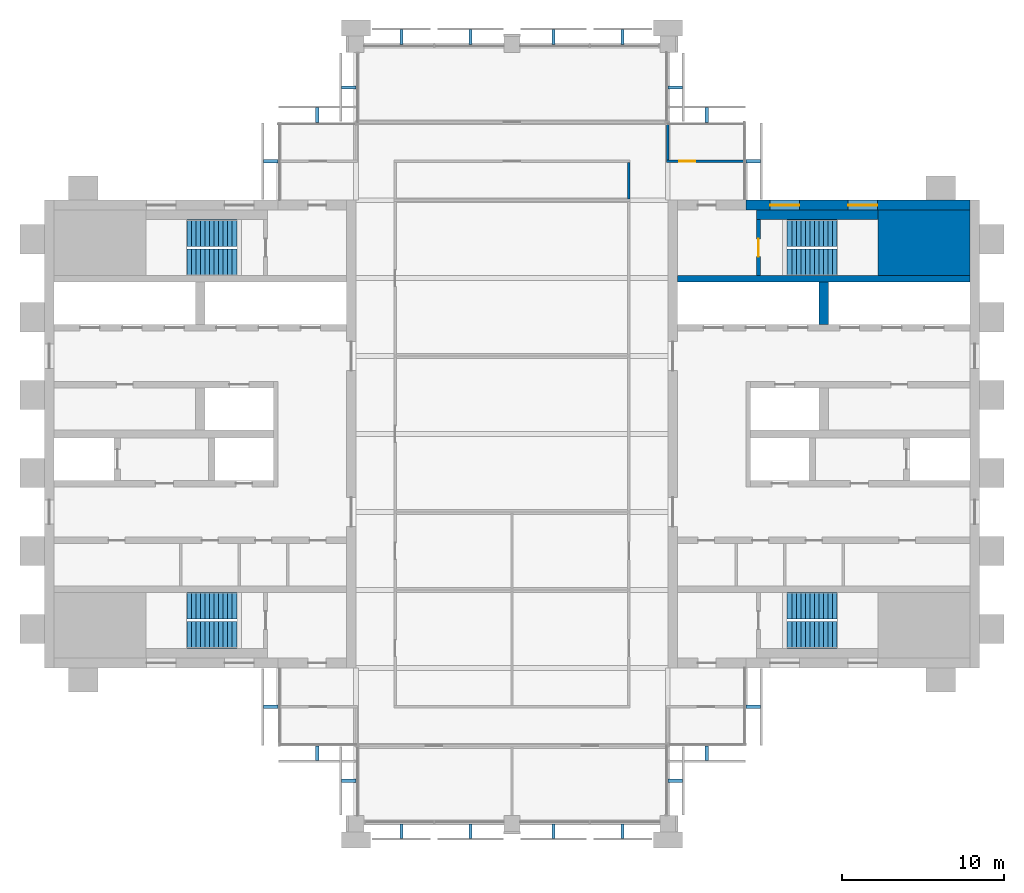
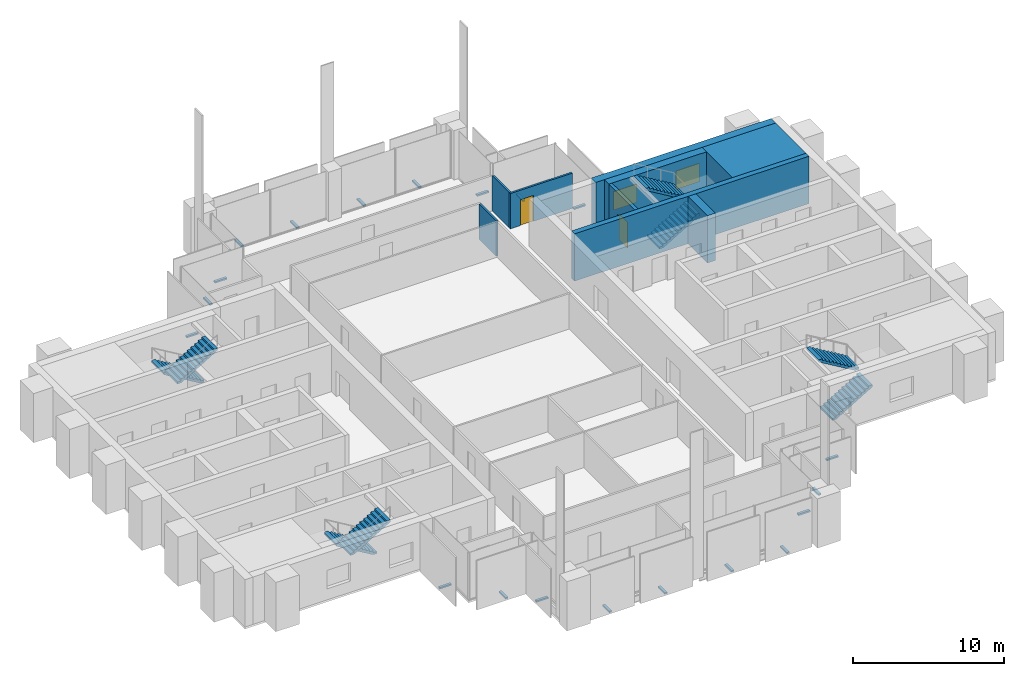
# One storey, part 11 of 12: 20 discrete accessories, 9 walls, 8 stair flights, 2 doors, 2 windows, 4 openings, 4 elements without a shape of their own.
"""IFC4 building model written with IfcOpenShell, lengths in metres."""

from ifc_helpers import new_model, si_unit, direction, frame, frame_2d, origin, origin_2d, place, context, subcontext, project, spatial, polyline, rectangle, outline, extrude, material, layer, layer_set, type_object, element, fill, aggregate, save


model = new_model("IFC4")

# Units and contexts
model_context = context("Model", 3, precision=1e-05, world=origin(), true_north=direction((0.0, 1.0)))
body_context = subcontext(model_context, "Body", "Model", "MODEL_VIEW")
ifc_project = project(units=[si_unit("LENGTHUNIT", "METRE"), si_unit("AREAUNIT", "SQUARE_METRE"), si_unit("VOLUMEUNIT", "CUBIC_METRE"), si_unit("PLANEANGLEUNIT", "RADIAN"), si_unit("MASSUNIT", "GRAM", prefix="KILO")], contexts=[model_context])

# Site, building, storey
site_placement = place(None, origin())
site = spatial("IfcSite", under=ifc_project, at=site_placement, CompositionType="ELEMENT")
building_placement = place(site_placement, origin())
building = spatial("IfcBuilding", under=site, at=building_placement, Name="Baori Bourse Tower", CompositionType="ELEMENT")
storey_placement = place(building_placement, frame((0.0, 0.0, 342.300048828125)))
storey = spatial("IfcBuildingStorey", under=building, at=storey_placement, Name="L76", CompositionType="ELEMENT", Elevation=342.300048828125)

# Wall
ifc_material_1 = material(Name="Concrete f'c 40 MPa", Category="concrete")
wall_type_1 = type_object("IfcWallType", Name="Core corner block f'c 40", PredefinedType="SHEAR", material=ifc_material_1)
wall_1_placement = place(storey_placement, frame((51.35009765625, 35.77490234375, 0.0), z_axis=(0.0, 0.0, 1.0), x_axis=(1.0, 0.0, 0.0)))
element("IfcWall", 1, at=wall_1_placement, inside=storey, type_object=wall_type_1, Name="Core wall E23", PredefinedType="SHEAR", context=body_context, shape_type="SweptSolid", body=[
    extrude(rectangle(XDim=5.64990234375, YDim=4.050048828125, at=frame_2d((2.824951171875, 0.0))), origin(), (0.0, 0.0, 1.0), 3.83984375),
])

# Wall, openings, windows
ifc_material_2 = material(Name="Concrete f'c 40 MPa", Category="concrete")
ifc_layer_1 = layer(ifc_material_2, 0.60009765625)
ifc_layer_set_1 = layer_set([ifc_layer_1], Name="Core wall 600 f'c 40")
wall_type_2 = type_object("IfcWallType", Name="Core wall 600 f'c 40", PredefinedType="SHEAR", material=ifc_layer_set_1)
wall_2_placement = place(storey_placement, frame((43.199951171875, 38.10009765625, 0.0), z_axis=(0.0, 0.0, 1.0), x_axis=(1.0, 0.0, 0.0)))
wall_2 = element("IfcWall", 2, at=wall_2_placement, inside=storey, type_object=wall_type_2, Name="Core wall E26", PredefinedType="SHEAR", context=body_context, shape_type="SweptSolid", body=[
    extrude(rectangle(XDim=13.800048828125, YDim=0.60009765625, at=frame_2d((6.89990234375, 0.0))), origin(), (0.0, 0.0, 1.0), 3.83984375),
])
opening_1_placement = place(wall_2_placement, frame((6.300048828125, 0.0, 0.89990234375)))
opening_1 = element("IfcOpeningElement", 3, at=opening_1_placement, cuts=wall_2, Name="Opening L76-KW205", PredefinedType="OPENING", context=body_context, shape_type="SweptSolid", body=[
    extrude(rectangle(XDim=1.800048828125, YDim=1.5, at=frame_2d((0.89990234375, 0.75))), frame((0.0, 0.31005859375, 0.0), z_axis=(0.0, -1.0, 0.0), x_axis=(1.0, 0.0, 0.0)), (0.0, 0.0, 1.0), 0.6201171875),
])
opening_2_placement = place(wall_2_placement, frame((1.5, 0.0, 0.89990234375)))
opening_2 = element("IfcOpeningElement", 4, at=opening_2_placement, cuts=wall_2, Name="Opening L76-KW206", PredefinedType="OPENING", context=body_context, shape_type="SweptSolid", body=[
    extrude(rectangle(XDim=1.800048828125, YDim=1.5, at=frame_2d((0.89990234375, 0.75))), frame((0.0, 0.31005859375, 0.0), z_axis=(0.0, -1.0, 0.0), x_axis=(1.0, 0.0, 0.0)), (0.0, 0.0, 1.0), 0.6201171875),
])
ifc_material_3 = material(Name="Pale anodised aluminium", Category="aluminium")
window_type = type_object("IfcWindowType", Name="Stair window 1800 x 1500", PartitioningType="SINGLE_PANEL", PredefinedType="WINDOW", material=ifc_material_3)
window_1_placement = place(opening_1_placement, origin())
window_1 = element("IfcWindow", 5, at=window_1_placement, inside=storey, type_object=window_type, Name="Stair window E L76 5", OverallHeight=1.5, OverallWidth=1.800048828125, PartitioningType="SINGLE_PANEL", PredefinedType="WINDOW", context=body_context, shape_type="SweptSolid", body=[
    extrude(rectangle(XDim=1.800048828125, YDim=1.5, at=frame_2d((0.89990234375, 0.75))), frame((0.0, 0.030029296875, 0.0), z_axis=(0.0, -1.0, 0.0), x_axis=(1.0, 0.0, 0.0)), (0.0, 0.0, 1.0), 0.06005859375),
])
fill(opening_1, window_1)
window_2_placement = place(opening_2_placement, origin())
window_2 = element("IfcWindow", 6, at=window_2_placement, inside=storey, type_object=window_type, Name="Stair window E L76 6", OverallHeight=1.5, OverallWidth=1.800048828125, PartitioningType="SINGLE_PANEL", PredefinedType="WINDOW", context=body_context, shape_type="SweptSolid", body=[
    extrude(rectangle(XDim=1.800048828125, YDim=1.5, at=frame_2d((0.89990234375, 0.75))), frame((0.0, 0.030029296875, 0.0), z_axis=(0.0, -1.0, 0.0), x_axis=(1.0, 0.0, 0.0)), (0.0, 0.0, 1.0), 0.06005859375),
])
fill(opening_2, window_2)

# Wall, opening, door
ifc_material_4 = material(Name="Gypsum board partition")
ifc_layer_2 = layer(ifc_material_4, 0.14990234375)
ifc_layer_set_2 = layer_set([ifc_layer_2], Name="Corridor partition 150")
wall_type_3 = type_object("IfcWallType", Name="Corridor partition 150", PredefinedType="PARTITIONING", material=ifc_layer_set_2)
wall_3_placement = place(storey_placement, frame((38.324951171875, 40.800048828125, 0.0), z_axis=(0.0, 0.0, 1.0), x_axis=(1.0, 0.0, 0.0)))
wall_3 = element("IfcWall", 7, at=wall_3_placement, inside=storey, type_object=wall_type_3, Name="Partition", PredefinedType="PARTITIONING", context=body_context, shape_type="SweptSolid", body=[
    extrude(rectangle(XDim=4.775146484375, YDim=0.14990234375, at=frame_2d((2.3876953125, 0.0))), origin(), (0.0, 0.0, 1.0), 2.86962890625),
])
opening_3_placement = place(wall_3_placement, frame((0.77490234375, 0.0, 0.0)))
opening_3 = element("IfcOpeningElement", 8, at=opening_3_placement, cuts=wall_3, Name="Opening L76-D07", PredefinedType="OPENING", context=body_context, shape_type="SweptSolid", body=[
    extrude(rectangle(XDim=1.0, YDim=2.10009765625, at=frame_2d((0.5, 1.050048828125))), frame((0.0, 0.0849609375, 0.0), z_axis=(0.0, -1.0, 0.0), x_axis=(1.0, 0.0, 0.0)), (0.0, 0.0, 1.0), 0.169921875),
])
ifc_material_5 = material(Name="Timber door leaf", Category="wood")
door_type_1 = type_object("IfcDoorType", Name="Door 1000 x 2100", OperationType="SINGLE_SWING_LEFT", PredefinedType="DOOR", material=ifc_material_5)
door_1_placement = place(opening_3_placement, origin())
door_1 = element("IfcDoor", 9, at=door_1_placement, inside=storey, type_object=door_type_1, Name="Door", OperationType="SINGLE_SWING_RIGHT", OverallHeight=2.10009765625, OverallWidth=1.0, PredefinedType="DOOR", context=body_context, shape_type="SweptSolid", body=[
    extrude(rectangle(XDim=1.0, YDim=2.10009765625, at=frame_2d((0.5, 1.050048828125))), frame((0.0, 0.02490234375, 0.0), z_axis=(0.0, -1.0, 0.0), x_axis=(1.0, 0.0, 0.0)), (0.0, 0.0, 1.0), 0.050048828125),
])
fill(opening_3, door_1)

# Walls
wall_4_placement = place(storey_placement, frame((36.0, 38.46240234375, 0.0), z_axis=(0.0, 0.0, 1.0), x_axis=(0.0, 1.0, 0.0)))
element("IfcWall", 10, at=wall_4_placement, inside=storey, type_object=wall_type_3, Name="Partition", PredefinedType="PARTITIONING", context=body_context, shape_type="SweptSolid", body=[
    extrude(rectangle(XDim=2.2626953125, YDim=0.14990234375, at=frame_2d((1.13134765625, 0.0))), origin(), (0.0, 0.0, 1.0), 2.86962890625),
])
wall_5_placement = place(storey_placement, frame((38.39990234375, 40.875, 0.0), z_axis=(0.0, 0.0, 1.0), x_axis=(0.0, 1.0, 0.0)))
element("IfcWall", 11, at=wall_5_placement, inside=storey, type_object=wall_type_3, Name="Partition", PredefinedType="PARTITIONING", context=body_context, shape_type="SweptSolid", body=[
    extrude(rectangle(XDim=2.25, YDim=0.14990234375, at=frame_2d((1.125, 0.0))), origin(), (0.0, 0.0, 1.0), 2.86962890625),
])

# Wall, opening, door
ifc_material_6 = material(Name="Concrete f'c 40 MPa", Category="concrete")
ifc_layer_3 = layer(ifc_material_6, 0.25)
ifc_layer_set_3 = layer_set([ifc_layer_3], Name="Shaft wall 250 f'c 40")
wall_type_4 = type_object("IfcWallType", Name="Shaft wall 250 f'c 40", PredefinedType="SHEAR", material=ifc_layer_set_3)
wall_6_placement = place(storey_placement, frame((43.97509765625, 33.75, 0.0), z_axis=(0.0, 0.0, 1.0), x_axis=(0.0, 1.0, 0.0)))
wall_6 = element("IfcWall", 12, at=wall_6_placement, inside=storey, type_object=wall_type_4, Name="Core wall E24", PredefinedType="SHEAR", context=body_context, shape_type="SweptSolid", body=[
    extrude(rectangle(XDim=3.449951171875, YDim=0.25, at=frame_2d((1.72509765625, 0.0))), origin(), (0.0, 0.0, 1.0), 3.83984375),
])
opening_4_placement = place(wall_6_placement, frame((1.175048828125, 0.0, 0.0)))
opening_4 = element("IfcOpeningElement", 13, at=opening_4_placement, cuts=wall_6, Name="Opening L76-D203", PredefinedType="OPENING", context=body_context, shape_type="SweptSolid", body=[
    extrude(rectangle(XDim=1.10009765625, YDim=2.10009765625, at=frame_2d((0.550048828125, 1.050048828125))), frame((0.0, 0.135009765625, 0.0), z_axis=(0.0, -1.0, 0.0), x_axis=(1.0, 0.0, 0.0)), (0.0, 0.0, 1.0), 0.27001953125),
])
ifc_material_7 = material(Name="Painted steel door", Category="steel")
door_type_2 = type_object("IfcDoorType", Name="Stair door 1100", OperationType="SINGLE_SWING_LEFT", PredefinedType="DOOR", material=ifc_material_7)
door_2_placement = place(opening_4_placement, origin())
door_2 = element("IfcDoor", 14, at=door_2_placement, inside=storey, type_object=door_type_2, Name="Stair door B E L76", OperationType="SINGLE_SWING_LEFT", OverallHeight=2.10009765625, OverallWidth=1.10009765625, PredefinedType="DOOR", context=body_context, shape_type="SweptSolid", body=[
    extrude(rectangle(XDim=1.10009765625, YDim=2.10009765625, at=frame_2d((0.550048828125, 1.050048828125))), frame((0.0, 0.02490234375, 0.0), z_axis=(0.0, -1.0, 0.0), x_axis=(1.0, 0.0, 0.0)), (0.0, 0.0, 1.0), 0.050048828125),
])
fill(opening_4, door_2)

# Walls
ifc_material_8 = material(Name="Concrete f'c 40 MPa", Category="concrete")
ifc_layer_4 = layer(ifc_material_8, 0.39990234375)
ifc_layer_set_4 = layer_set([ifc_layer_4], Name="Shaft wall 400 f'c 40")
wall_type_5 = type_object("IfcWallType", Name="Shaft wall 400 f'c 40", PredefinedType="SHEAR", material=ifc_layer_set_4)
wall_7_placement = place(storey_placement, frame((39.0, 33.550048828125, 0.0), z_axis=(0.0, 0.0, 1.0), x_axis=(1.0, 0.0, 0.0)))
element("IfcWall", 15, at=wall_7_placement, inside=storey, type_object=wall_type_5, Name="Core wall E22", PredefinedType="SHEAR", context=body_context, shape_type="SweptSolid", body=[
    extrude(rectangle(XDim=18.0, YDim=0.39990234375, at=frame_2d((9.0, 0.0))), origin(), (0.0, 0.0, 1.0), 3.83984375),
])
ifc_material_9 = material(Name="Concrete f'c 40 MPa", Category="concrete")
ifc_layer_5 = layer(ifc_material_9, 0.60009765625)
ifc_layer_set_5 = layer_set([ifc_layer_5], Name="Shaft wall 600 f'c 40")
wall_type_6 = type_object("IfcWallType", Name="Shaft wall 600 f'c 40", PredefinedType="SHEAR", material=ifc_layer_set_5)
wall_8_placement = place(storey_placement, frame((48.0, 30.75, 0.0), z_axis=(0.0, 0.0, 1.0), x_axis=(0.0, 1.0, 0.0)))
element("IfcWall", 16, at=wall_8_placement, inside=storey, type_object=wall_type_6, Name="Core wall E21", PredefinedType="SHEAR", context=body_context, shape_type="SweptSolid", body=[
    extrude(rectangle(XDim=2.60009765625, YDim=0.60009765625, at=frame_2d((1.300048828125, 0.0))), origin(), (0.0, 0.0, 1.0), 3.83984375),
])
wall_9_placement = place(storey_placement, frame((43.85009765625, 37.5, 0.0), z_axis=(0.0, 0.0, 1.0), x_axis=(1.0, 0.0, 0.0)))
element("IfcWall", 17, at=wall_9_placement, inside=storey, type_object=wall_type_6, Name="Core wall E25", PredefinedType="SHEAR", context=body_context, shape_type="SweptSolid", body=[
    extrude(rectangle(XDim=7.5, YDim=0.60009765625, at=frame_2d((3.75, 0.0))), origin(), (0.0, 0.0, 1.0), 3.83984375),
])

# Stair, stair flights
ifc_material_10 = material(Name="Concrete f'c 50 MPa", Category="concrete")
stair_type = type_object("IfcStairType", Name="Core stair", PredefinedType="HALF_TURN_STAIR", material=ifc_material_10)
stair_1_placement = place(storey_placement, origin())
stair_1 = element("IfcStair", 18, at=stair_1_placement, inside=storey, type_object=stair_type, Name="L76 Stair WA", PredefinedType="HALF_TURN_STAIR")
ifc_material_11 = material(Name="Concrete f'c 50 MPa", Category="concrete")
stair_flight_type = type_object("IfcStairFlightType", Name="Core stair flight", PredefinedType="STRAIGHT", material=ifc_material_11)
stair_flight_1_placement = place(storey_placement, frame((11.85009765625, 13.425048828125, 0.0), z_axis=(0.0, 0.0, 1.0), x_axis=(-1.0, 0.0, 0.0)))
stair_flight_1 = element("IfcStairFlight", 19, at=stair_flight_1_placement, type_object=stair_flight_type, Name="ST1 flight 1", NumberOfRisers=12, NumberOfTreads=11, PredefinedType="STRAIGHT", RiserHeight=0.166666667, TreadLength=0.28, context=body_context, shape_type="SweptSolid", body=[
    extrude(outline(polyline([(0.0, 0.0), (0.0, 0.166748046875), (0.280029296875, 0.166748046875), (0.280029296875, 0.333251953125), (0.56005859375, 0.333251953125), (0.56005859375, 0.5), (0.840087890625, 0.5), (0.840087890625, 0.666748046875), (1.1201171875, 0.666748046875), (1.1201171875, 0.833251953125), (1.39990234375, 0.833251953125), (1.39990234375, 1.0), (1.679931640625, 1.0), (1.679931640625, 1.166748046875), (1.9599609375, 1.166748046875), (1.9599609375, 1.333251953125), (2.239990234375, 1.333251953125), (2.239990234375, 1.5), (2.52001953125, 1.5), (2.52001953125, 1.666748046875), (2.800048828125, 1.666748046875), (2.800048828125, 1.833251953125), (3.080078125, 1.833251953125), (3.080078125, 2.0), (3.080078125, 1.658935546875), (0.29296875, 0.0), (0.0, 0.0)])), frame((0.0, 0.824951171875, 0.0), z_axis=(0.0, -1.0, 0.0), x_axis=(1.0, 0.0, 0.0)), (0.0, 0.0, 1.0), 1.64990234375),
])
stair_flight_2_placement = place(storey_placement, frame((8.77001953125, 11.625, 2.0), z_axis=(0.0, 0.0, 1.0), x_axis=(1.0, 0.0, 0.0)))
stair_flight_2 = element("IfcStairFlight", 20, at=stair_flight_2_placement, type_object=stair_flight_type, Name="ST1 flight 2", NumberOfRisers=12, NumberOfTreads=11, PredefinedType="STRAIGHT", RiserHeight=0.166666667, TreadLength=0.28, context=body_context, shape_type="SweptSolid", body=[
    extrude(outline(polyline([(0.0, 0.0), (0.0, 0.166748046875), (0.280029296875, 0.166748046875), (0.280029296875, 0.333251953125), (0.56005859375, 0.333251953125), (0.56005859375, 0.5), (0.840087890625, 0.5), (0.840087890625, 0.666748046875), (1.1201171875, 0.666748046875), (1.1201171875, 0.833251953125), (1.39990234375, 0.833251953125), (1.39990234375, 1.0), (1.679931640625, 1.0), (1.679931640625, 1.166748046875), (1.9599609375, 1.166748046875), (1.9599609375, 1.333251953125), (2.239990234375, 1.333251953125), (2.239990234375, 1.5), (2.52001953125, 1.5), (2.52001953125, 1.666748046875), (2.800048828125, 1.666748046875), (2.800048828125, 1.833251953125), (3.080078125, 1.833251953125), (3.080078125, 2.0), (3.080078125, 1.658935546875), (0.29296875, 0.0), (0.0, 0.0)])), frame((0.0, 0.824951171875, 0.0), z_axis=(0.0, -1.0, 0.0), x_axis=(1.0, 0.0, 0.0)), (0.0, 0.0, 1.0), 1.64990234375),
])
aggregate(stair_1, [stair_flight_1, stair_flight_2])

stair_2_placement = place(storey_placement, origin())
stair_2 = element("IfcStair", 21, at=stair_2_placement, inside=storey, type_object=stair_type, Name="L76 Stair WB", PredefinedType="HALF_TURN_STAIR")
stair_flight_3_placement = place(storey_placement, frame((11.85009765625, 36.375, 0.0), z_axis=(0.0, 0.0, 1.0), x_axis=(-1.0, 0.0, 0.0)))
stair_flight_3 = element("IfcStairFlight", 22, at=stair_flight_3_placement, type_object=stair_flight_type, Name="ST2 flight 1", NumberOfRisers=12, NumberOfTreads=11, PredefinedType="STRAIGHT", RiserHeight=0.166666667, TreadLength=0.28, context=body_context, shape_type="SweptSolid", body=[
    extrude(outline(polyline([(0.0, 0.0), (0.0, 0.166748046875), (0.280029296875, 0.166748046875), (0.280029296875, 0.333251953125), (0.56005859375, 0.333251953125), (0.56005859375, 0.5), (0.840087890625, 0.5), (0.840087890625, 0.666748046875), (1.1201171875, 0.666748046875), (1.1201171875, 0.833251953125), (1.39990234375, 0.833251953125), (1.39990234375, 1.0), (1.679931640625, 1.0), (1.679931640625, 1.166748046875), (1.9599609375, 1.166748046875), (1.9599609375, 1.333251953125), (2.239990234375, 1.333251953125), (2.239990234375, 1.5), (2.52001953125, 1.5), (2.52001953125, 1.666748046875), (2.800048828125, 1.666748046875), (2.800048828125, 1.833251953125), (3.080078125, 1.833251953125), (3.080078125, 2.0), (3.080078125, 1.658935546875), (0.29296875, 0.0), (0.0, 0.0)])), frame((0.0, 0.824951171875, 0.0), z_axis=(0.0, -1.0, 0.0), x_axis=(1.0, 0.0, 0.0)), (0.0, 0.0, 1.0), 1.64990234375),
])
stair_flight_4_placement = place(storey_placement, frame((8.77001953125, 34.574951171875, 2.0), z_axis=(0.0, 0.0, 1.0), x_axis=(1.0, 0.0, 0.0)))
stair_flight_4 = element("IfcStairFlight", 23, at=stair_flight_4_placement, type_object=stair_flight_type, Name="ST2 flight 2", NumberOfRisers=12, NumberOfTreads=11, PredefinedType="STRAIGHT", RiserHeight=0.166666667, TreadLength=0.28, context=body_context, shape_type="SweptSolid", body=[
    extrude(outline(polyline([(0.0, 0.0), (0.0, 0.166748046875), (0.280029296875, 0.166748046875), (0.280029296875, 0.333251953125), (0.56005859375, 0.333251953125), (0.56005859375, 0.5), (0.840087890625, 0.5), (0.840087890625, 0.666748046875), (1.1201171875, 0.666748046875), (1.1201171875, 0.833251953125), (1.39990234375, 0.833251953125), (1.39990234375, 1.0), (1.679931640625, 1.0), (1.679931640625, 1.166748046875), (1.9599609375, 1.166748046875), (1.9599609375, 1.333251953125), (2.239990234375, 1.333251953125), (2.239990234375, 1.5), (2.52001953125, 1.5), (2.52001953125, 1.666748046875), (2.800048828125, 1.666748046875), (2.800048828125, 1.833251953125), (3.080078125, 1.833251953125), (3.080078125, 2.0), (3.080078125, 1.658935546875), (0.29296875, 0.0), (0.0, 0.0)])), frame((0.0, 0.824951171875, 0.0), z_axis=(0.0, -1.0, 0.0), x_axis=(1.0, 0.0, 0.0)), (0.0, 0.0, 1.0), 1.64990234375),
])
aggregate(stair_2, [stair_flight_3, stair_flight_4])

stair_3_placement = place(storey_placement, origin())
stair_3 = element("IfcStair", 24, at=stair_3_placement, inside=storey, type_object=stair_type, Name="L76 Stair EA", PredefinedType="HALF_TURN_STAIR")
stair_flight_5_placement = place(storey_placement, frame((45.75, 11.625, 0.0), z_axis=(0.0, 0.0, 1.0), x_axis=(1.0, 0.0, 0.0)))
stair_flight_5 = element("IfcStairFlight", 25, at=stair_flight_5_placement, type_object=stair_flight_type, Name="ST3 flight 1", NumberOfRisers=12, NumberOfTreads=11, PredefinedType="STRAIGHT", RiserHeight=0.166666667, TreadLength=0.28, context=body_context, shape_type="SweptSolid", body=[
    extrude(outline(polyline([(0.0, 0.0), (0.0, 0.166748046875), (0.280029296875, 0.166748046875), (0.280029296875, 0.333251953125), (0.56005859375, 0.333251953125), (0.56005859375, 0.5), (0.840087890625, 0.5), (0.840087890625, 0.666748046875), (1.1201171875, 0.666748046875), (1.1201171875, 0.833251953125), (1.39990234375, 0.833251953125), (1.39990234375, 1.0), (1.679931640625, 1.0), (1.679931640625, 1.166748046875), (1.9599609375, 1.166748046875), (1.9599609375, 1.333251953125), (2.239990234375, 1.333251953125), (2.239990234375, 1.5), (2.52001953125, 1.5), (2.52001953125, 1.666748046875), (2.800048828125, 1.666748046875), (2.800048828125, 1.833251953125), (3.080078125, 1.833251953125), (3.080078125, 2.0), (3.080078125, 1.658935546875), (0.29296875, 0.0), (0.0, 0.0)])), frame((0.0, 0.824951171875, 0.0), z_axis=(0.0, -1.0, 0.0), x_axis=(1.0, 0.0, 0.0)), (0.0, 0.0, 1.0), 1.64990234375),
])
stair_flight_6_placement = place(storey_placement, frame((48.830078125, 13.425048828125, 2.0), z_axis=(0.0, 0.0, 1.0), x_axis=(-1.0, 0.0, 0.0)))
stair_flight_6 = element("IfcStairFlight", 26, at=stair_flight_6_placement, type_object=stair_flight_type, Name="ST3 flight 2", NumberOfRisers=12, NumberOfTreads=11, PredefinedType="STRAIGHT", RiserHeight=0.166666667, TreadLength=0.28, context=body_context, shape_type="SweptSolid", body=[
    extrude(outline(polyline([(0.0, 0.0), (0.0, 0.166748046875), (0.280029296875, 0.166748046875), (0.280029296875, 0.333251953125), (0.56005859375, 0.333251953125), (0.56005859375, 0.5), (0.840087890625, 0.5), (0.840087890625, 0.666748046875), (1.1201171875, 0.666748046875), (1.1201171875, 0.833251953125), (1.39990234375, 0.833251953125), (1.39990234375, 1.0), (1.679931640625, 1.0), (1.679931640625, 1.166748046875), (1.9599609375, 1.166748046875), (1.9599609375, 1.333251953125), (2.239990234375, 1.333251953125), (2.239990234375, 1.5), (2.52001953125, 1.5), (2.52001953125, 1.666748046875), (2.800048828125, 1.666748046875), (2.800048828125, 1.833251953125), (3.080078125, 1.833251953125), (3.080078125, 2.0), (3.080078125, 1.658935546875), (0.29296875, 0.0), (0.0, 0.0)])), frame((0.0, 0.824951171875, 0.0), z_axis=(0.0, -1.0, 0.0), x_axis=(1.0, 0.0, 0.0)), (0.0, 0.0, 1.0), 1.64990234375),
])
aggregate(stair_3, [stair_flight_5, stair_flight_6])

stair_4_placement = place(storey_placement, origin())
stair_4 = element("IfcStair", 27, at=stair_4_placement, inside=storey, type_object=stair_type, Name="L76 Stair EB", PredefinedType="HALF_TURN_STAIR")
stair_flight_7_placement = place(storey_placement, frame((45.75, 34.574951171875, 0.0), z_axis=(0.0, 0.0, 1.0), x_axis=(1.0, 0.0, 0.0)))
stair_flight_7 = element("IfcStairFlight", 28, at=stair_flight_7_placement, type_object=stair_flight_type, Name="ST4 flight 1", NumberOfRisers=12, NumberOfTreads=11, PredefinedType="STRAIGHT", RiserHeight=0.166666667, TreadLength=0.28, context=body_context, shape_type="SweptSolid", body=[
    extrude(outline(polyline([(0.0, 0.0), (0.0, 0.166748046875), (0.280029296875, 0.166748046875), (0.280029296875, 0.333251953125), (0.56005859375, 0.333251953125), (0.56005859375, 0.5), (0.840087890625, 0.5), (0.840087890625, 0.666748046875), (1.1201171875, 0.666748046875), (1.1201171875, 0.833251953125), (1.39990234375, 0.833251953125), (1.39990234375, 1.0), (1.679931640625, 1.0), (1.679931640625, 1.166748046875), (1.9599609375, 1.166748046875), (1.9599609375, 1.333251953125), (2.239990234375, 1.333251953125), (2.239990234375, 1.5), (2.52001953125, 1.5), (2.52001953125, 1.666748046875), (2.800048828125, 1.666748046875), (2.800048828125, 1.833251953125), (3.080078125, 1.833251953125), (3.080078125, 2.0), (3.080078125, 1.658935546875), (0.29296875, 0.0), (0.0, 0.0)])), frame((0.0, 0.824951171875, 0.0), z_axis=(0.0, -1.0, 0.0), x_axis=(1.0, 0.0, 0.0)), (0.0, 0.0, 1.0), 1.64990234375),
])
stair_flight_8_placement = place(storey_placement, frame((48.830078125, 36.375, 2.0), z_axis=(0.0, 0.0, 1.0), x_axis=(-1.0, 0.0, 0.0)))
stair_flight_8 = element("IfcStairFlight", 29, at=stair_flight_8_placement, type_object=stair_flight_type, Name="ST4 flight 2", NumberOfRisers=12, NumberOfTreads=11, PredefinedType="STRAIGHT", RiserHeight=0.166666667, TreadLength=0.28, context=body_context, shape_type="SweptSolid", body=[
    extrude(outline(polyline([(0.0, 0.0), (0.0, 0.166748046875), (0.280029296875, 0.166748046875), (0.280029296875, 0.333251953125), (0.56005859375, 0.333251953125), (0.56005859375, 0.5), (0.840087890625, 0.5), (0.840087890625, 0.666748046875), (1.1201171875, 0.666748046875), (1.1201171875, 0.833251953125), (1.39990234375, 0.833251953125), (1.39990234375, 1.0), (1.679931640625, 1.0), (1.679931640625, 1.166748046875), (1.9599609375, 1.166748046875), (1.9599609375, 1.333251953125), (2.239990234375, 1.333251953125), (2.239990234375, 1.5), (2.52001953125, 1.5), (2.52001953125, 1.666748046875), (2.800048828125, 1.666748046875), (2.800048828125, 1.833251953125), (3.080078125, 1.833251953125), (3.080078125, 2.0), (3.080078125, 1.658935546875), (0.29296875, 0.0), (0.0, 0.0)])), frame((0.0, 0.824951171875, 0.0), z_axis=(0.0, -1.0, 0.0), x_axis=(1.0, 0.0, 0.0)), (0.0, 0.0, 1.0), 1.64990234375),
])
aggregate(stair_4, [stair_flight_7, stair_flight_8])

# Discrete accessories
ifc_material_12 = material(Name="Pale anodised aluminium", Category="aluminium")
discrete_accessory_type = type_object("IfcDiscreteAccessoryType", Name="OS2 Outer skin bracket", PredefinedType="BRACKET", material=ifc_material_12)
for number, where, z_axis, x_axis, name in (
    (30, (43.64990234375, 40.800048828125, -0.14404296875), (0.0, 0.0, 1.0), (0.0, 1.0, 0.0), "Outer skin bracket L76 1"),
    (31, (40.800048828125, 43.64990234375, -0.14404296875), (0.0, 0.0, 1.0), (-1.0, 0.0, 0.0), "Outer skin bracket L76 2"),
    (32, (38.85009765625, 45.35009765625, -0.14404296875), (0.0, 0.0, 1.0), (0.0, 1.0, 0.0), "Outer skin bracket L76 3"),
    (33, (35.612548828125, 48.449951171875, -0.14404296875), (0.0, 0.0, 1.0), (-1.0, 0.0, 0.0), "Outer skin bracket L76 4"),
    (34, (31.362548828125, 48.449951171875, -0.14404296875), (0.0, 0.0, 1.0), (-1.0, 0.0, 0.0), "Outer skin bracket L76 5"),
    (35, (26.237548828125, 48.449951171875, -0.14404296875), (0.0, 0.0, 1.0), (-1.0, 0.0, 0.0), "Outer skin bracket L76 6"),
    (36, (21.987548828125, 48.449951171875, -0.14404296875), (0.0, 0.0, 1.0), (-1.0, 0.0, 0.0), "Outer skin bracket L76 7"),
    (37, (18.75, 45.35009765625, -0.14404296875), (0.0, 0.0, 1.0), (0.0, -1.0, 0.0), "Outer skin bracket L76 8"),
    (38, (16.800048828125, 43.64990234375, -0.14404296875), (0.0, 0.0, 1.0), (-1.0, 0.0, 0.0), "Outer skin bracket L76 9"),
    (39, (13.949951171875, 40.800048828125, -0.14404296875), (0.0, 0.0, 1.0), (0.0, -1.0, 0.0), "Outer skin bracket L76 10"),
    (40, (13.949951171875, 7.199951171875, -0.14404296875), (0.0, 0.0, 1.0), (0.0, -1.0, 0.0), "Outer skin bracket L76 11"),
    (41, (16.800048828125, 4.35009765625, -0.14404296875), (0.0, 0.0, 1.0), (1.0, 0.0, 0.0), "Outer skin bracket L76 12"),
    (42, (18.75, 2.64990234375, -0.14404296875), (0.0, 0.0, 1.0), (0.0, -1.0, 0.0), "Outer skin bracket L76 13"),
    (43, (21.987548828125, -0.449951171875, -0.14404296875), (0.0, 0.0, 1.0), (1.0, 0.0, 0.0), "Outer skin bracket L76 14"),
    (44, (26.237548828125, -0.449951171875, -0.14404296875), (0.0, 0.0, 1.0), (1.0, 0.0, 0.0), "Outer skin bracket L76 15"),
    (45, (31.362548828125, -0.449951171875, -0.14404296875), (0.0, 0.0, 1.0), (1.0, 0.0, 0.0), "Outer skin bracket L76 16"),
    (46, (35.612548828125, -0.449951171875, -0.14404296875), (0.0, 0.0, 1.0), (1.0, 0.0, 0.0), "Outer skin bracket L76 17"),
    (47, (38.85009765625, 2.64990234375, -0.14404296875), (0.0, 0.0, 1.0), (0.0, 1.0, 0.0), "Outer skin bracket L76 18"),
    (48, (40.800048828125, 4.35009765625, -0.14404296875), (0.0, 0.0, 1.0), (1.0, 0.0, 0.0), "Outer skin bracket L76 19"),
    (49, (43.64990234375, 7.199951171875, -0.14404296875), (0.0, 0.0, 1.0), (0.0, 1.0, 0.0), "Outer skin bracket L76 20"),
):
    element("IfcDiscreteAccessory", number, at=place(storey_placement, frame(where, z_axis=z_axis, x_axis=x_axis)), inside=storey, type_object=discrete_accessory_type, Name=name, PredefinedType="BRACKET", context=body_context, shape_type="SweptSolid", body=[
        extrude(rectangle(XDim=0.199951171875, YDim=0.89990234375, at=origin_2d()), origin(), (0.0, 0.0, 1.0), 0.1279296875),
    ])

save(model, "model.ifc")
